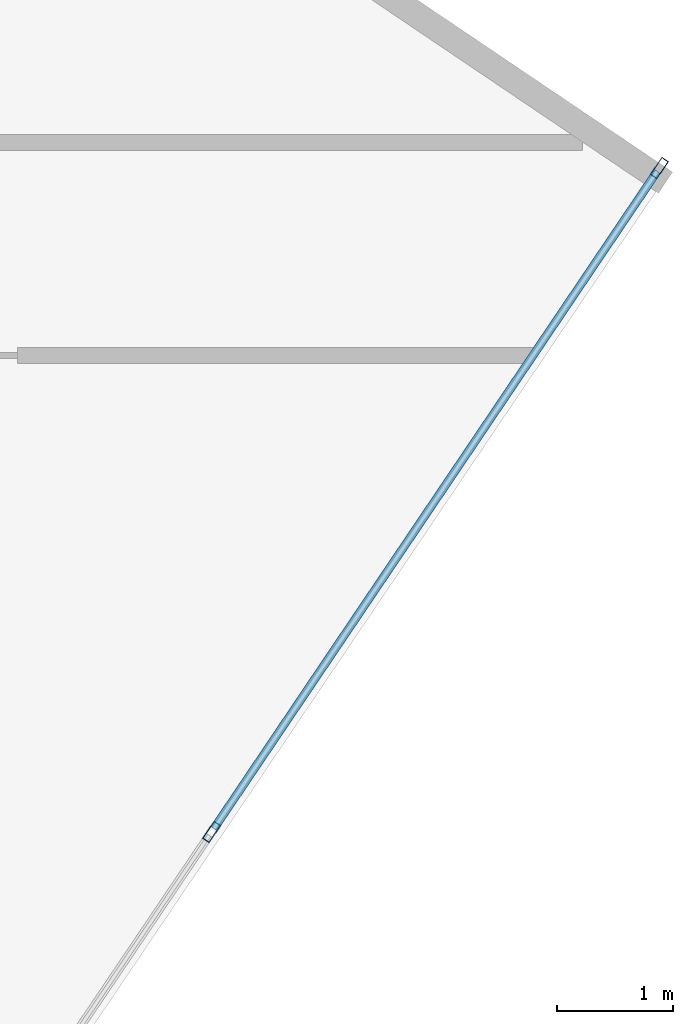
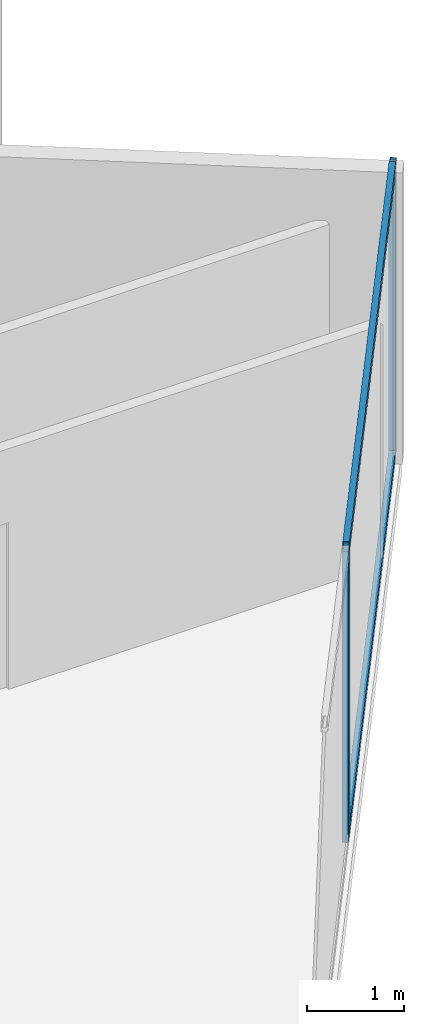
# One storey, part 12 of 27: 4 members, 1 element without a shape of its own.
"""IFC4 building model written with IfcOpenShell, lengths in metres."""

from ifc_helpers import new_model, si_unit, direction, frame, origin, origin_2d, place, context, subcontext, project, spatial, hollow_rectangle, extrude, source, transform, mapped, material, material_profile, profile_set, type_object, type_shapes, element, aggregate, save


model = new_model("IFC4")

# Units and contexts
model_context = context("Model", 3, precision=1e-05, world=origin(), true_north=direction((0.0, 1.0)))
body_context = subcontext(model_context, "Body", "Model", "MODEL_VIEW")
ifc_project = project(units=[si_unit("LENGTHUNIT", "METRE"), si_unit("AREAUNIT", "SQUARE_METRE"), si_unit("VOLUMEUNIT", "CUBIC_METRE"), si_unit("PLANEANGLEUNIT", "RADIAN"), si_unit("MASSUNIT", "GRAM", prefix="KILO")], contexts=[model_context])

# Site, building, storey
site_placement = place(None, origin())
site = spatial("IfcSite", under=ifc_project, at=site_placement, CompositionType="ELEMENT")
building_placement = place(site_placement, origin())
building = spatial("IfcBuilding", under=site, at=building_placement, Name="Krantzveldt Concourse Tower", CompositionType="ELEMENT")
storey_placement = place(building_placement, frame((0.0, 0.0, 189.64990234375)))
storey = spatial("IfcBuildingStorey", under=building, at=storey_placement, Name="L46", CompositionType="ELEMENT", Elevation=189.64990234375)

# Curtain wall, members
ifc_material = material(Name="Anodised aluminium 6063-T6", Category="aluminium")
curtain_wall_type = type_object("IfcCurtainWallType", Name="CW3", PredefinedType="USERDEFINED", material=ifc_material)
curtain_wall_placement = place(storey_placement, origin())
curtain_wall = element("IfcCurtainWall", 1, at=curtain_wall_placement, inside=storey, type_object=curtain_wall_type, Name="CW-L46-F07", ObjectType="UNITISED CURTAIN WALL", PredefinedType="USERDEFINED")
ifc_material_profile_1 = material_profile(ifc_material, hollow_rectangle(XDim=0.070068359375, YDim=0.179931640625, WallThickness=0.0048828125, at=origin_2d()), Name="Anodised aluminium 6063-T6", Category="aluminium")
ifc_profile_set_1 = profile_set([ifc_material_profile_1], Name="Anodised aluminium 6063-T6 - ALU-MULL 180x70x5")
member_type_1 = type_object("IfcMemberType", Name="CW-MUL-180", PredefinedType="MULLION", material=ifc_profile_set_1)
shared_shape_1 = source(origin(), body_context, "Body", "SweptSolid", [
    extrude(hollow_rectangle(XDim=0.070068359375, YDim=0.179931640625, WallThickness=0.0048828125, at=origin_2d()), origin(), (0.0, 0.0, 1.0), 3.670166015625),
])
type_shapes(member_type_1, [shared_shape_1])
member_1_placement = place(storey_placement, frame((59.919189453125, 23.1591796875, 0.0), z_axis=(0.0, 0.0, 1.0), x_axis=(-0.829037635301, 0.559192810447, 0.0)))
member_1 = element("IfcMember", 2, at=member_1_placement, type_object=member_type_1, Name="CW-Z34 mullion 5", PredefinedType="MULLION", context=body_context, shape_type="MappedRepresentation", body=[
    mapped(shared_shape_1, transform((0.0, 0.0, 0.0), x_axis=(1.0, 0.0, 0.0), y_axis=(0.0, 1.0, 0.0), z_axis=(0.0, 0.0, 1.0), scale=1.0)),
])
member_2_placement = place(storey_placement, frame((63.791748046875, 28.900146484375, 0.0), z_axis=(0.0, 0.0, 1.0), x_axis=(-0.829037635301, 0.559192810447, 0.0)))
member_2 = element("IfcMember", 3, at=member_2_placement, type_object=member_type_1, Name="CW-Z34 mullion 6", PredefinedType="MULLION", context=body_context, shape_type="MappedRepresentation", body=[
    mapped(shared_shape_1, transform((0.0, 0.0, 0.0), x_axis=(1.0, 0.0, 0.0), y_axis=(0.0, 1.0, 0.0), z_axis=(0.0, 0.0, 1.0), scale=1.0)),
])
ifc_material_profile_2 = material_profile(ifc_material, hollow_rectangle(XDim=0.070068359375, YDim=0.139892578125, WallThickness=0.0048828125, at=origin_2d()), Name="Anodised aluminium 6063-T6", Category="aluminium")
ifc_profile_set_2 = profile_set([ifc_material_profile_2], Name="Anodised aluminium 6063-T6 - ALU-TRAN 140x70x5")
member_type_2 = type_object("IfcMemberType", Name="CW-TRN-150", PredefinedType="USERDEFINED", material=ifc_profile_set_2)
shared_shape_2 = source(origin(), body_context, "Body", "SweptSolid", [
    extrude(hollow_rectangle(XDim=0.070068359375, YDim=0.139892578125, WallThickness=0.0048828125, at=origin_2d()), origin(), (0.0, 0.0, 1.0), 6.85498046875),
])
type_shapes(member_type_2, [shared_shape_2])
member_3_placement = place(storey_placement, frame((59.93896484375, 23.188232421875, 0.03515625), z_axis=(0.559187781281, 0.829041027493, 0.0), x_axis=(-0.829041027493, 0.559187781281, 0.0)))
member_3 = element("IfcMember", 4, at=member_3_placement, type_object=member_type_2, Name="CW-Z34 transom 5.1", ObjectType="TRANSOM", PredefinedType="USERDEFINED", context=body_context, shape_type="MappedRepresentation", body=[
    mapped(shared_shape_2, transform((0.0, 0.0, 0.0), x_axis=(1.0, 0.0, 0.0), y_axis=(0.0, 1.0, 0.0), z_axis=(0.0, 0.0, 1.0), scale=1.0)),
])
member_4_placement = place(storey_placement, frame((59.93896484375, 23.188232421875, 3.635009765625), z_axis=(0.559187781281, 0.829041027493, 0.0), x_axis=(-0.829041027493, 0.559187781281, 0.0)))
member_4 = element("IfcMember", 5, at=member_4_placement, type_object=member_type_2, Name="CW-Z34 transom 5.2", ObjectType="TRANSOM", PredefinedType="USERDEFINED", context=body_context, shape_type="MappedRepresentation", body=[
    mapped(shared_shape_2, transform((0.0, 0.0, 0.0), x_axis=(1.0, 0.0, 0.0), y_axis=(0.0, 1.0, 0.0), z_axis=(0.0, 0.0, 1.0), scale=1.0)),
])
aggregate(curtain_wall, [member_1, member_2, member_3, member_4])

save(model, "model.ifc")
